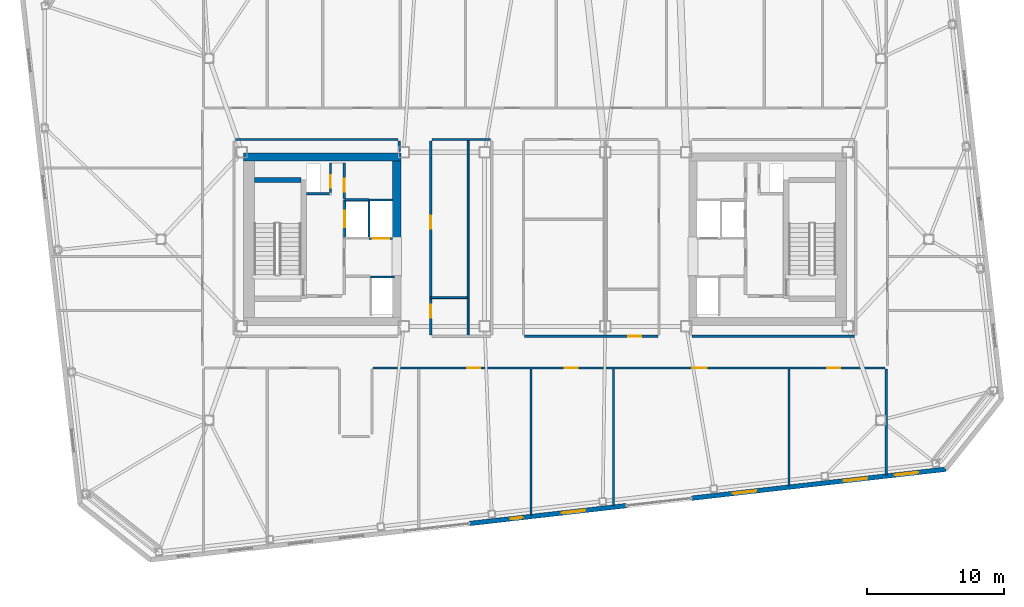
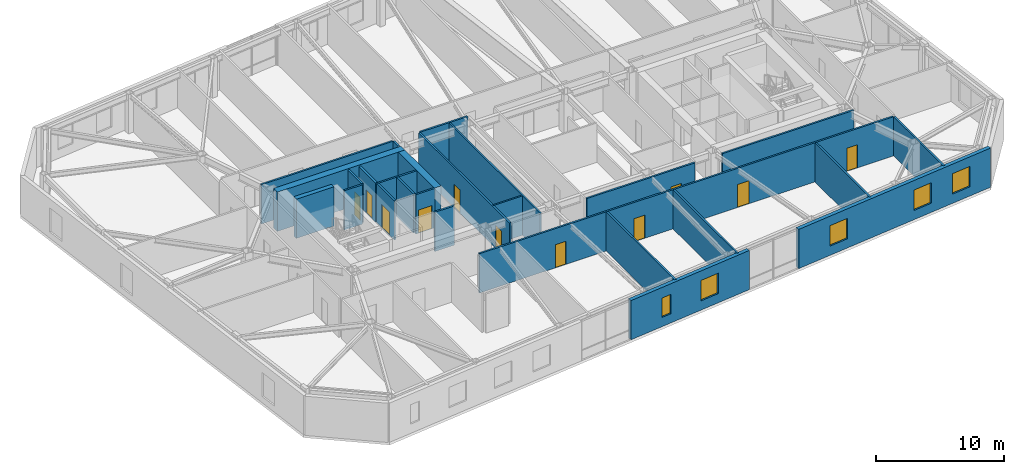
# One storey, part 13 of 19: 27 walls, 11 doors, 5 windows, 16 openings.
"""IFC4 building model written with IfcOpenShell, lengths in metres."""

from ifc_helpers import new_model, si_unit, direction, frame, frame_2d, origin, place, context, subcontext, project, spatial, rectangle, extrude, material, layer, layer_set, type_object, element, fill, save


model = new_model("IFC4")

# Units and contexts
model_context = context("Model", 3, precision=1e-05, world=origin(), true_north=direction((0.0, 1.0)))
body_context = subcontext(model_context, "Body", "Model", "MODEL_VIEW")
ifc_project = project(units=[si_unit("LENGTHUNIT", "METRE"), si_unit("AREAUNIT", "SQUARE_METRE"), si_unit("VOLUMEUNIT", "CUBIC_METRE"), si_unit("PLANEANGLEUNIT", "RADIAN"), si_unit("MASSUNIT", "GRAM", prefix="KILO")], contexts=[model_context])

# Site, building, storey
site_placement = place(None, origin())
site = spatial("IfcSite", under=ifc_project, at=site_placement, CompositionType="ELEMENT")
building_placement = place(site_placement, origin())
building = spatial("IfcBuilding", under=site, at=building_placement, Name="Tavrogorsk Clinical Tower", CompositionType="ELEMENT")
storey_placement = place(building_placement, frame((0.0, 0.0, 243.0)))
storey = spatial("IfcBuildingStorey", under=building, at=storey_placement, Name="L56", CompositionType="ELEMENT", Elevation=243.0)

# Wall, opening, door
ifc_material_1 = material(Name="Concrete B60", Category="concrete")
ifc_layer_1 = layer(ifc_material_1, 0.199951171875)
ifc_layer_set_1 = layer_set([ifc_layer_1], Name="Concrete B60")
wall_type_1 = type_object("IfcWallType", Name="CoreFireWall_200", PredefinedType="SOLIDWALL", material=ifc_layer_set_1)
wall_1_placement = place(storey_placement, frame((-14.639892578125, 2.9599609375, 0.0), z_axis=(0.0, 0.0, 1.0), x_axis=(0.0, 1.0, 0.0)))
wall_1 = element("IfcWall", 1, at=wall_1_placement, inside=storey, type_object=wall_type_1, Name="L56 Core West North Core Room East Wall", PredefinedType="SOLIDWALL", context=body_context, shape_type="SweptSolid", body=[
    extrude(rectangle(XDim=2.60009765625, YDim=0.199951171875, at=frame_2d((1.300048828125, 0.0))), origin(), (0.0, 0.0, 1.0), 3.739990234375),
])
opening_1_placement = place(wall_1_placement, frame((0.52001953125, 0.0, 0.0)))
opening_1 = element("IfcOpeningElement", 2, at=opening_1_placement, cuts=wall_1, Name="Opening ID-02", PredefinedType="OPENING", context=body_context, shape_type="SweptSolid", body=[
    extrude(rectangle(XDim=0.949951171875, YDim=2.199951171875, at=frame_2d((0.47509765625, 1.10009765625))), frame((0.0, 0.10986328125, 0.0), z_axis=(0.0, -1.0, 0.0), x_axis=(1.0, 0.0, 0.0)), (0.0, 0.0, 1.0), 0.219970703125),
])
ifc_material_2 = material(Name="Laminated timber leaf on aluminium frame", Category="wood")
door_type_1 = type_object("IfcDoorType", Name="InteriorDoor_ID02_950", OperationType="NOTDEFINED", PredefinedType="DOOR", material=ifc_material_2)
door_1_placement = place(opening_1_placement, origin())
door_1 = element("IfcDoor", 3, at=door_1_placement, inside=storey, type_object=door_type_1, Name="L56 Core West Core Telemetry Room Door", OperationType="SINGLE_SWING_LEFT", OverallHeight=2.199951171875, OverallWidth=0.949951171875, PredefinedType="DOOR", context=body_context, shape_type="SweptSolid", body=[
    extrude(rectangle(XDim=0.949951171875, YDim=2.199951171875, at=frame_2d((0.47509765625, 1.10009765625))), frame((0.0, 0.02490234375, 0.0), z_axis=(0.0, -1.0, 0.0), x_axis=(1.0, 0.0, 0.0)), (0.0, 0.0, 1.0), 0.050048828125),
])
fill(opening_1, door_1)

# Walls
ifc_material_3 = material(Name="Lightweight concrete blockwork B15", Category="masonry")
ifc_layer_2 = layer(ifc_material_3, 0.139892578125)
ifc_layer_set_2 = layer_set([ifc_layer_2], Name="Lightweight concrete blockwork B15")
wall_type_2 = type_object("IfcWallType", Name="PartitionWall_140", PredefinedType="PARTITIONING", material=ifc_layer_set_2)
wall_2_placement = place(storey_placement, frame((-5.60009765625, -7.06494140625, 0.0), z_axis=(0.0, 0.0, 1.0), x_axis=(0.0, 1.0, 0.0)))
element("IfcWall", 4, at=wall_2_placement, inside=storey, type_object=wall_type_2, Name="L56 Central Spine Partition 1", PredefinedType="PARTITIONING", context=body_context, shape_type="SweptSolid", body=[
    extrude(rectangle(XDim=14.329833984375, YDim=0.139892578125, at=frame_2d((7.1650390625, 0.0))), origin(), (0.0, 0.0, 1.0), 3.739990234375),
])
wall_3_placement = place(storey_placement, frame((-8.31494140625, -4.25, 0.0), z_axis=(0.0, 0.0, 1.0), x_axis=(1.0, 0.0, 0.0)))
element("IfcWall", 5, at=wall_3_placement, inside=storey, type_object=wall_type_2, Name="L56 Central Spine Partition 4", PredefinedType="PARTITIONING", context=body_context, shape_type="SweptSolid", body=[
    extrude(rectangle(XDim=2.639892578125, YDim=0.139892578125, at=frame_2d((1.31982421875, 0.0))), origin(), (0.0, 0.0, 1.0), 3.739990234375),
])

# Wall, openings, doors
ifc_material_4 = material(Name="Lightweight concrete blockwork B15", Category="masonry")
ifc_layer_3 = layer(ifc_material_4, 0.159912109375)
ifc_layer_set_3 = layer_set([ifc_layer_3], Name="Lightweight concrete blockwork B15")
wall_type_3 = type_object("IfcWallType", Name="PartitionWall_160", PredefinedType="PARTITIONING", material=ifc_layer_set_3)
wall_4_placement = place(storey_placement, frame((24.81494140625, -9.3798828125, 0.0), z_axis=(0.0, 0.0, 1.0), x_axis=(-1.0, 0.0, 0.0)))
wall_4 = element("IfcWall", 6, at=wall_4_placement, inside=storey, type_object=wall_type_3, Name="L56 Corridor Partition 04", PredefinedType="PARTITIONING", context=body_context, shape_type="SweptSolid", body=[
    extrude(rectangle(XDim=37.349853515625, YDim=0.159912109375, at=frame_2d((18.6748046875, 0.0))), origin(), (0.0, 0.0, 1.0), 3.739990234375),
])
opening_2_placement = place(wall_4_placement, frame((29.534912109375, 0.0, 0.0)))
opening_2 = element("IfcOpeningElement", 7, at=opening_2_placement, cuts=wall_4, Name="Opening ID-02", PredefinedType="OPENING", context=body_context, shape_type="SweptSolid", body=[
    extrude(rectangle(XDim=0.949951171875, YDim=2.199951171875, at=frame_2d((0.47509765625, 1.10009765625))), frame((0.0, 0.08984375, 0.0), z_axis=(0.0, -1.0, 0.0), x_axis=(1.0, 0.0, 0.0)), (0.0, 0.0, 1.0), 0.179931640625),
])
opening_3_placement = place(wall_4_placement, frame((22.43505859375, 0.0, 0.0)))
opening_3 = element("IfcOpeningElement", 8, at=opening_3_placement, cuts=wall_4, Name="Opening ID-02", PredefinedType="OPENING", context=body_context, shape_type="SweptSolid", body=[
    extrude(rectangle(XDim=0.949951171875, YDim=2.199951171875, at=frame_2d((0.47509765625, 1.10009765625))), frame((0.0, 0.08984375, 0.0), z_axis=(0.0, -1.0, 0.0), x_axis=(1.0, 0.0, 0.0)), (0.0, 0.0, 1.0), 0.179931640625),
])
opening_4_placement = place(wall_4_placement, frame((13.02490234375, 0.0, 0.0)))
opening_4 = element("IfcOpeningElement", 9, at=opening_4_placement, cuts=wall_4, Name="Opening ID-04", PredefinedType="OPENING", context=body_context, shape_type="SweptSolid", body=[
    extrude(rectangle(XDim=1.050048828125, YDim=2.199951171875, at=frame_2d((0.52490234375, 1.10009765625))), frame((0.0, 0.08984375, 0.0), z_axis=(0.0, -1.0, 0.0), x_axis=(1.0, 0.0, 0.0)), (0.0, 0.0, 1.0), 0.179931640625),
])
opening_5_placement = place(wall_4_placement, frame((3.26904296875, 0.0, 0.0)))
opening_5 = element("IfcOpeningElement", 10, at=opening_5_placement, cuts=wall_4, Name="Opening ID-02", PredefinedType="OPENING", context=body_context, shape_type="SweptSolid", body=[
    extrude(rectangle(XDim=0.949951171875, YDim=2.199951171875, at=frame_2d((0.47509765625, 1.10009765625))), frame((0.0, 0.08984375, 0.0), z_axis=(0.0, -1.0, 0.0), x_axis=(1.0, 0.0, 0.0)), (0.0, 0.0, 1.0), 0.179931640625),
])
ifc_material_5 = material(Name="Antibacterial HPL consultation door on aluminium frame", Category="aluminium")
door_type_2 = type_object("IfcDoorType", Name="ConsultDoor_ID04_1050", OperationType="NOTDEFINED", PredefinedType="DOOR", material=ifc_material_5)
door_2_placement = place(opening_4_placement, origin())
door_2 = element("IfcDoor", 11, at=door_2_placement, inside=storey, type_object=door_type_2, Name="L56 South Cardiology Diagnostics Room 04 Door", OperationType="SINGLE_SWING_RIGHT", OverallHeight=2.199951171875, OverallWidth=1.050048828125, PredefinedType="DOOR", context=body_context, shape_type="SweptSolid", body=[
    extrude(rectangle(XDim=1.050048828125, YDim=2.199951171875, at=frame_2d((0.52490234375, 1.10009765625))), frame((0.0, 0.02490234375, 0.0), z_axis=(0.0, -1.0, 0.0), x_axis=(1.0, 0.0, 0.0)), (0.0, 0.0, 1.0), 0.050048828125),
])
fill(opening_4, door_2)
door_3_placement = place(opening_2_placement, origin())
door_3 = element("IfcDoor", 12, at=door_3_placement, inside=storey, type_object=door_type_1, Name="L56 South Outpatient Procedure Suite 03A Door", OperationType="SINGLE_SWING_RIGHT", OverallHeight=2.199951171875, OverallWidth=0.949951171875, PredefinedType="DOOR", context=body_context, shape_type="SweptSolid", body=[
    extrude(rectangle(XDim=0.949951171875, YDim=2.199951171875, at=frame_2d((0.47509765625, 1.10009765625))), frame((0.0, 0.02490234375, 0.0), z_axis=(0.0, -1.0, 0.0), x_axis=(1.0, 0.0, 0.0)), (0.0, 0.0, 1.0), 0.050048828125),
])
fill(opening_2, door_3)
door_4_placement = place(opening_3_placement, origin())
door_4 = element("IfcDoor", 13, at=door_4_placement, inside=storey, type_object=door_type_1, Name="L56 South Clinical Case Seminar Room 03B Door", OperationType="SINGLE_SWING_LEFT", OverallHeight=2.199951171875, OverallWidth=0.949951171875, PredefinedType="DOOR", context=body_context, shape_type="SweptSolid", body=[
    extrude(rectangle(XDim=0.949951171875, YDim=2.199951171875, at=frame_2d((0.47509765625, 1.10009765625))), frame((0.0, 0.02490234375, 0.0), z_axis=(0.0, -1.0, 0.0), x_axis=(1.0, 0.0, 0.0)), (0.0, 0.0, 1.0), 0.050048828125),
])
fill(opening_3, door_4)
door_5_placement = place(opening_5_placement, origin())
door_5 = element("IfcDoor", 14, at=door_5_placement, inside=storey, type_object=door_type_1, Name="L56 South Attending Physician Office 05 Door", OperationType="SINGLE_SWING_LEFT", OverallHeight=2.199951171875, OverallWidth=0.949951171875, PredefinedType="DOOR", context=body_context, shape_type="SweptSolid", body=[
    extrude(rectangle(XDim=0.949951171875, YDim=2.199951171875, at=frame_2d((0.47509765625, 1.10009765625))), frame((0.0, 0.02490234375, 0.0), z_axis=(0.0, -1.0, 0.0), x_axis=(1.0, 0.0, 0.0)), (0.0, 0.0, 1.0), 0.050048828125),
])
fill(opening_5, door_5)

# Wall
wall_5_placement = place(storey_placement, frame((10.715087890625, -7.070068359375, 0.0), z_axis=(0.0, 0.0, 1.0), x_axis=(1.0, 0.0, 0.0)))
element("IfcWall", 15, at=wall_5_placement, inside=storey, type_object=wall_type_3, Name="L56 Corridor Partition 12", PredefinedType="PARTITIONING", context=body_context, shape_type="SweptSolid", body=[
    extrude(rectangle(XDim=11.869873046875, YDim=0.159912109375, at=frame_2d((5.93505859375, 0.0))), origin(), (0.0, 0.0, 1.0), 3.739990234375),
])

# Wall, opening, door
wall_6_placement = place(storey_placement, frame((-1.485107421875, -7.070068359375, 0.0), z_axis=(0.0, 0.0, 1.0), x_axis=(1.0, 0.0, 0.0)))
wall_6 = element("IfcWall", 16, at=wall_6_placement, inside=storey, type_object=wall_type_3, Name="L56 Corridor Partition 16", PredefinedType="PARTITIONING", context=body_context, shape_type="SweptSolid", body=[
    extrude(rectangle(XDim=9.72021484375, YDim=0.159912109375, at=frame_2d((4.860107421875, 0.0))), origin(), (0.0, 0.0, 1.0), 3.739990234375),
])
opening_6_placement = place(wall_6_placement, frame((7.560791015625, 0.0, 0.0)))
opening_6 = element("IfcOpeningElement", 17, at=opening_6_placement, cuts=wall_6, Name="Opening ID-02", PredefinedType="OPENING", context=body_context, shape_type="SweptSolid", body=[
    extrude(rectangle(XDim=0.949951171875, YDim=2.199951171875, at=frame_2d((0.47509765625, 1.10009765625))), frame((0.0, 0.08984375, 0.0), z_axis=(0.0, -1.0, 0.0), x_axis=(1.0, 0.0, 0.0)), (0.0, 0.0, 1.0), 0.179931640625),
])
door_6_placement = place(opening_6_placement, origin())
door_6 = element("IfcDoor", 18, at=door_6_placement, inside=storey, type_object=door_type_1, Name="L56 Staff & Visitor Accessible WC Door", OperationType="SINGLE_SWING_RIGHT", OverallHeight=2.199951171875, OverallWidth=0.949951171875, PredefinedType="DOOR", context=body_context, shape_type="SweptSolid", body=[
    extrude(rectangle(XDim=0.949951171875, YDim=2.199951171875, at=frame_2d((0.47509765625, 1.10009765625))), frame((0.0, 0.02490234375, 0.0), z_axis=(0.0, -1.0, 0.0), x_axis=(1.0, 0.0, 0.0)), (0.0, 0.0, 1.0), 0.050048828125),
])
fill(opening_6, door_6)

# Wall
wall_7_placement = place(storey_placement, frame((-3.965087890625, 7.27001953125, 0.0), z_axis=(0.0, 0.0, 1.0), x_axis=(-1.0, 0.0, 0.0)))
element("IfcWall", 19, at=wall_7_placement, inside=storey, type_object=wall_type_3, Name="L56 Corridor Partition 19", PredefinedType="PARTITIONING", context=body_context, shape_type="SweptSolid", body=[
    extrude(rectangle(XDim=4.27001953125, YDim=0.159912109375, at=frame_2d((2.135009765625, 0.0))), origin(), (0.0, 0.0, 1.0), 3.739990234375),
])

# Wall, openings, doors
wall_8_placement = place(storey_placement, frame((-8.320068359375, 7.18505859375, 0.0), z_axis=(0.0, 0.0, 1.0), x_axis=(0.0, -1.0, 0.0)))
wall_8 = element("IfcWall", 20, at=wall_8_placement, inside=storey, type_object=wall_type_3, Name="L56 Corridor Partition 20", PredefinedType="PARTITIONING", context=body_context, shape_type="SweptSolid", body=[
    extrude(rectangle(XDim=14.170166015625, YDim=0.159912109375, at=frame_2d((7.0849609375, 0.0))), origin(), (0.0, 0.0, 1.0), 3.739990234375),
])
opening_7_placement = place(wall_8_placement, frame((11.9609375, 0.0, 0.0)))
opening_7 = element("IfcOpeningElement", 21, at=opening_7_placement, cuts=wall_8, Name="Opening ID-02", PredefinedType="OPENING", context=body_context, shape_type="SweptSolid", body=[
    extrude(rectangle(XDim=0.949951171875, YDim=2.199951171875, at=frame_2d((0.47509765625, 1.10009765625))), frame((0.0, 0.08984375, 0.0), z_axis=(0.0, -1.0, 0.0), x_axis=(1.0, 0.0, 0.0)), (0.0, 0.0, 1.0), 0.179931640625),
])
opening_8_placement = place(wall_8_placement, frame((5.47900390625, 0.0, 0.0)))
opening_8 = element("IfcOpeningElement", 22, at=opening_8_placement, cuts=wall_8, Name="Opening ID-02", PredefinedType="OPENING", context=body_context, shape_type="SweptSolid", body=[
    extrude(rectangle(XDim=0.949951171875, YDim=2.199951171875, at=frame_2d((0.47509765625, 1.10009765625))), frame((0.0, 0.08984375, 0.0), z_axis=(0.0, -1.0, 0.0), x_axis=(1.0, 0.0, 0.0)), (0.0, 0.0, 1.0), 0.179931640625),
])
door_7_placement = place(opening_7_placement, origin())
door_7 = element("IfcDoor", 23, at=door_7_placement, inside=storey, type_object=door_type_1, Name="L56 Accessible Patient Lavatory Door", OperationType="SINGLE_SWING_RIGHT", OverallHeight=2.199951171875, OverallWidth=0.949951171875, PredefinedType="DOOR", context=body_context, shape_type="SweptSolid", body=[
    extrude(rectangle(XDim=0.949951171875, YDim=2.199951171875, at=frame_2d((0.47509765625, 1.10009765625))), frame((0.0, 0.02490234375, 0.0), z_axis=(0.0, -1.0, 0.0), x_axis=(1.0, 0.0, 0.0)), (0.0, 0.0, 1.0), 0.050048828125),
])
fill(opening_7, door_7)
door_8_placement = place(opening_8_placement, origin())
door_8 = element("IfcDoor", 24, at=door_8_placement, inside=storey, type_object=door_type_1, Name="L56 Ward Nourishment Pantry Door", OperationType="SINGLE_SWING_LEFT", OverallHeight=2.199951171875, OverallWidth=0.949951171875, PredefinedType="DOOR", context=body_context, shape_type="SweptSolid", body=[
    extrude(rectangle(XDim=0.949951171875, YDim=2.199951171875, at=frame_2d((0.47509765625, 1.10009765625))), frame((0.0, 0.02490234375, 0.0), z_axis=(0.0, -1.0, 0.0), x_axis=(1.0, 0.0, 0.0)), (0.0, 0.0, 1.0), 0.050048828125),
])
fill(opening_8, door_8)

# Walls
wall_9_placement = place(storey_placement, frame((-10.6298828125, 6.419921875, 0.0), z_axis=(0.0, 0.0, 1.0), x_axis=(0.0, 1.0, 0.0)))
element("IfcWall", 25, at=wall_9_placement, inside=storey, type_object=wall_type_3, Name="L56 Corridor Partition 23", PredefinedType="PARTITIONING", context=body_context, shape_type="SweptSolid", body=[
    extrude(rectangle(XDim=0.76513671875, YDim=0.159912109375, at=frame_2d((0.382568359375, 0.0))), origin(), (0.0, 0.0, 1.0), 3.739990234375),
])
wall_10_placement = place(storey_placement, frame((-10.715087890625, 7.27001953125, 0.0), z_axis=(0.0, 0.0, 1.0), x_axis=(-1.0, 0.0, 0.0)))
element("IfcWall", 26, at=wall_10_placement, inside=storey, type_object=wall_type_3, Name="L56 Corridor Partition 24", PredefinedType="PARTITIONING", context=body_context, shape_type="SweptSolid", body=[
    extrude(rectangle(XDim=11.869873046875, YDim=0.159912109375, at=frame_2d((5.93505859375, 0.0))), origin(), (0.0, 0.0, 1.0), 3.739990234375),
])
wall_11_placement = place(storey_placement, frame((24.89990234375, -17.199462890625, 0.0), z_axis=(0.0, 0.0, 1.0), x_axis=(0.0, 1.0, 0.0)))
element("IfcWall", 27, at=wall_11_placement, inside=storey, type_object=wall_type_3, Name="L56 SE Wing Closure Partition", PredefinedType="PARTITIONING", context=body_context, shape_type="SweptSolid", body=[
    extrude(rectangle(XDim=7.734375, YDim=0.159912109375, at=frame_2d((3.8671875, 0.0))), origin(), (0.0, 0.0, 1.0), 3.739990234375),
])
wall_12_placement = place(storey_placement, frame((5.0, -19.466796875, 0.0), z_axis=(0.0, 0.0, 1.0), x_axis=(0.0, 1.0, 0.0)))
element("IfcWall", 28, at=wall_12_placement, inside=storey, type_object=wall_type_3, Name="L56 South Room Partition 3", PredefinedType="PARTITIONING", context=body_context, shape_type="SweptSolid", body=[
    extrude(rectangle(XDim=10.001708984375, YDim=0.159912109375, at=frame_2d((5.0009765625, 0.0))), origin(), (0.0, 0.0, 1.0), 3.739990234375),
])
wall_13_placement = place(storey_placement, frame((17.800048828125, -18.00830078125, 0.0), z_axis=(0.0, 0.0, 1.0), x_axis=(0.0, 1.0, 0.0)))
element("IfcWall", 29, at=wall_13_placement, inside=storey, type_object=wall_type_3, Name="L56 South Room Partition 4", PredefinedType="PARTITIONING", context=body_context, shape_type="SweptSolid", body=[
    extrude(rectangle(XDim=8.543212890625, YDim=0.159912109375, at=frame_2d((4.271484375, 0.0))), origin(), (0.0, 0.0, 1.0), 3.739990234375),
])
wall_14_placement = place(storey_placement, frame((-1.02001953125, -20.152587890625, 0.0), z_axis=(0.0, 0.0, 1.0), x_axis=(0.0, 1.0, 0.0)))
element("IfcWall", 30, at=wall_14_placement, inside=storey, type_object=wall_type_3, Name="L56 South Sub-Partition 3", PredefinedType="PARTITIONING", context=body_context, shape_type="SweptSolid", body=[
    extrude(rectangle(XDim=10.6875, YDim=0.159912109375, at=frame_2d((5.34375, 0.0))), origin(), (0.0, 0.0, 1.0), 3.739990234375),
])

# Wall, openings, windows
ifc_material_6 = material(Name="Precast concrete B45 with limestone cladding", Category="masonry")
ifc_layer_4 = layer(ifc_material_6, 0.340087890625)
ifc_layer_set_4 = layer_set([ifc_layer_4], Name="Precast concrete B45 with limestone cladding")
wall_type_4 = type_object("IfcWallType", Name="PrecastLimestoneWall_340", PredefinedType="STANDARD", material=ifc_layer_set_4)
wall_15_placement = place(storey_placement, frame((-5.48193359375, -20.7314453125, 0.0), z_axis=(0.0, 0.0, 1.0), x_axis=(0.993571968199, 0.113202226169, 0.0)))
wall_15 = element("IfcWall", 31, at=wall_15_placement, inside=storey, type_object=wall_type_4, Name="L56 S Limestone Facade Wall 2", PredefinedType="STANDARD", context=body_context, shape_type="SweptSolid", body=[
    extrude(rectangle(XDim=11.497314453125, YDim=0.340087890625, at=frame_2d((5.74853515625, 0.0))), origin(), (0.0, 0.0, 1.0), 3.739990234375),
])
opening_9_placement = place(wall_15_placement, frame((3.0244140625, 0.0, 0.8798828125)))
opening_9 = element("IfcOpeningElement", 32, at=opening_9_placement, cuts=wall_15, Name="Opening WN-06", PredefinedType="OPENING", context=body_context, shape_type="SweptSolid", body=[
    extrude(rectangle(XDim=0.85009765625, YDim=1.85009765625, at=frame_2d((0.425048828125, 0.925048828125))), frame((0.0, 0.179931640625, 0.0), z_axis=(0.0, -1.0, 0.0), x_axis=(1.0, 0.0, 0.0)), (0.0, 0.0, 1.0), 0.360107421875),
])
opening_10_placement = place(wall_15_placement, frame((6.772705078125, 0.0, 0.8798828125)))
opening_10 = element("IfcOpeningElement", 33, at=opening_10_placement, cuts=wall_15, Name="Opening WN-15", PredefinedType="OPENING", context=body_context, shape_type="SweptSolid", body=[
    extrude(rectangle(XDim=1.699951171875, YDim=1.949951171875, at=frame_2d((0.85009765625, 0.97509765625))), frame((0.0, 0.179931640625, 0.0), z_axis=(0.0, -1.0, 0.0), x_axis=(1.0, 0.0, 0.0)), (0.0, 0.0, 1.0), 0.360107421875),
])
ifc_material_7 = material(Name="Thermally broken aluminium frame and triple IGU", Category="aluminium")
window_type_1 = type_object("IfcWindowType", Name="MullionSubWin_850x1850", PartitioningType="SINGLE_PANEL", PredefinedType="WINDOW", material=ifc_material_7)
window_1_placement = place(opening_9_placement, origin())
window_1 = element("IfcWindow", 34, at=window_1_placement, inside=storey, type_object=window_type_1, Name="L56 S Mullion Split Window 05A", OverallHeight=1.85009765625, OverallWidth=0.85009765625, PartitioningType="SINGLE_PANEL", PredefinedType="WINDOW", context=body_context, shape_type="SweptSolid", body=[
    extrude(rectangle(XDim=0.85009765625, YDim=1.85009765625, at=frame_2d((0.425048828125, 0.925048828125))), frame((0.0, 0.030029296875, 0.0), z_axis=(0.0, -1.0, 0.0), x_axis=(1.0, 0.0, 0.0)), (0.0, 0.0, 1.0), 0.06005859375),
])
fill(opening_9, window_1)
ifc_material_8 = material(Name="Thermally broken aluminium frame and triple IGU", Category="aluminium")
window_type_2 = type_object("IfcWindowType", Name="OfficeChicagoWin_1700x1950", PartitioningType="SINGLE_PANEL", PredefinedType="WINDOW", material=ifc_material_8)
window_2_placement = place(opening_10_placement, origin())
window_2 = element("IfcWindow", 35, at=window_2_placement, inside=storey, type_object=window_type_2, Name="L56 S Chicago Window 06", OverallHeight=1.949951171875, OverallWidth=1.699951171875, PartitioningType="SINGLE_PANEL", PredefinedType="WINDOW", context=body_context, shape_type="SweptSolid", body=[
    extrude(rectangle(XDim=1.699951171875, YDim=1.949951171875, at=frame_2d((0.85009765625, 0.97509765625))), frame((0.0, 0.030029296875, 0.0), z_axis=(0.0, -1.0, 0.0), x_axis=(1.0, 0.0, 0.0)), (0.0, 0.0, 1.0), 0.06005859375),
])
fill(opening_10, window_2)

wall_16_placement = place(storey_placement, frame((10.71044921875, -18.886474609375, 0.0), z_axis=(0.0, 0.0, 1.0), x_axis=(0.993572271362, 0.113199565282, 0.0)))
wall_16 = element("IfcWall", 36, at=wall_16_placement, inside=storey, type_object=wall_type_4, Name="L56 S Limestone Facade Wall 3", PredefinedType="STANDARD", context=body_context, shape_type="SweptSolid", body=[
    extrude(rectangle(XDim=18.6513671875, YDim=0.340087890625, at=frame_2d((9.32568359375, 0.0))), origin(), (0.0, 0.0, 1.0), 3.739990234375),
])
opening_11_placement = place(wall_16_placement, frame((3.0244140625, 0.0, 0.8798828125)))
opening_11 = element("IfcOpeningElement", 37, at=opening_11_placement, cuts=wall_16, Name="Opening WN-15", PredefinedType="OPENING", context=body_context, shape_type="SweptSolid", body=[
    extrude(rectangle(XDim=1.699951171875, YDim=1.949951171875, at=frame_2d((0.85009765625, 0.97509765625))), frame((0.0, 0.179931640625, 0.0), z_axis=(0.0, -1.0, 0.0), x_axis=(1.0, 0.0, 0.0)), (0.0, 0.0, 1.0), 0.360107421875),
])
opening_12_placement = place(wall_16_placement, frame((11.1728515625, 0.0, 0.8798828125)))
opening_12 = element("IfcOpeningElement", 38, at=opening_12_placement, cuts=wall_16, Name="Opening WN-15", PredefinedType="OPENING", context=body_context, shape_type="SweptSolid", body=[
    extrude(rectangle(XDim=1.699951171875, YDim=1.949951171875, at=frame_2d((0.85009765625, 0.97509765625))), frame((0.0, 0.179931640625, 0.0), z_axis=(0.0, -1.0, 0.0), x_axis=(1.0, 0.0, 0.0)), (0.0, 0.0, 1.0), 0.360107421875),
])
opening_13_placement = place(wall_16_placement, frame((14.921142578125, 0.0, 0.8798828125)))
opening_13 = element("IfcOpeningElement", 39, at=opening_13_placement, cuts=wall_16, Name="Opening WN-15", PredefinedType="OPENING", context=body_context, shape_type="SweptSolid", body=[
    extrude(rectangle(XDim=1.699951171875, YDim=1.949951171875, at=frame_2d((0.85009765625, 0.97509765625))), frame((0.0, 0.179931640625, 0.0), z_axis=(0.0, -1.0, 0.0), x_axis=(1.0, 0.0, 0.0)), (0.0, 0.0, 1.0), 0.360107421875),
])
window_3_placement = place(opening_11_placement, origin())
window_3 = element("IfcWindow", 40, at=window_3_placement, inside=storey, type_object=window_type_2, Name="L56 S Chicago Window 07", OverallHeight=1.949951171875, OverallWidth=1.699951171875, PartitioningType="SINGLE_PANEL", PredefinedType="WINDOW", context=body_context, shape_type="SweptSolid", body=[
    extrude(rectangle(XDim=1.699951171875, YDim=1.949951171875, at=frame_2d((0.85009765625, 0.97509765625))), frame((0.0, 0.030029296875, 0.0), z_axis=(0.0, -1.0, 0.0), x_axis=(1.0, 0.0, 0.0)), (0.0, 0.0, 1.0), 0.06005859375),
])
fill(opening_11, window_3)
window_4_placement = place(opening_12_placement, origin())
window_4 = element("IfcWindow", 41, at=window_4_placement, inside=storey, type_object=window_type_2, Name="L56 S Chicago Window 09", OverallHeight=1.949951171875, OverallWidth=1.699951171875, PartitioningType="SINGLE_PANEL", PredefinedType="WINDOW", context=body_context, shape_type="SweptSolid", body=[
    extrude(rectangle(XDim=1.699951171875, YDim=1.949951171875, at=frame_2d((0.85009765625, 0.97509765625))), frame((0.0, 0.030029296875, 0.0), z_axis=(0.0, -1.0, 0.0), x_axis=(1.0, 0.0, 0.0)), (0.0, 0.0, 1.0), 0.06005859375),
])
fill(opening_12, window_4)
window_5_placement = place(opening_13_placement, origin())
window_5 = element("IfcWindow", 42, at=window_5_placement, inside=storey, type_object=window_type_2, Name="L56 S Chicago Window 10", OverallHeight=1.949951171875, OverallWidth=1.699951171875, PartitioningType="SINGLE_PANEL", PredefinedType="WINDOW", context=body_context, shape_type="SweptSolid", body=[
    extrude(rectangle(XDim=1.699951171875, YDim=1.949951171875, at=frame_2d((0.85009765625, 0.97509765625))), frame((0.0, 0.030029296875, 0.0), z_axis=(0.0, -1.0, 0.0), x_axis=(1.0, 0.0, 0.0)), (0.0, 0.0, 1.0), 0.06005859375),
])
fill(opening_13, window_5)

# Wall, opening, door
ifc_material_9 = material(Name="Lightweight concrete blockwork B25", Category="masonry")
ifc_layer_5 = layer(ifc_material_9, 0.159912109375)
ifc_layer_set_5 = layer_set([ifc_layer_5], Name="Lightweight concrete blockwork B25")
wall_type_5 = type_object("IfcWallType", Name="ShaftWall_160", PredefinedType="PARTITIONING", material=ifc_layer_set_5)
wall_17_placement = place(storey_placement, frame((-14.60009765625, 0.1201171875, 0.0), z_axis=(0.0, 0.0, 1.0), x_axis=(0.0, 1.0, 0.0)))
wall_17 = element("IfcWall", 43, at=wall_17_placement, inside=storey, type_object=wall_type_5, Name="L56 FFL-W Firefighting Lift Front Wall", PredefinedType="PARTITIONING", context=body_context, shape_type="SweptSolid", body=[
    extrude(rectangle(XDim=2.739990234375, YDim=0.159912109375, at=frame_2d((1.3701171875, 0.0))), origin(), (0.0, 0.0, 1.0), 3.739990234375),
])
opening_14_placement = place(wall_17_placement, frame((0.77001953125, 0.0, 0.0)))
opening_14 = element("IfcOpeningElement", 44, at=opening_14_placement, cuts=wall_17, Name="Opening LD", PredefinedType="OPENING", context=body_context, shape_type="SweptSolid", body=[
    extrude(rectangle(XDim=1.199951171875, YDim=2.199951171875, at=frame_2d((0.60009765625, 1.10009765625))), frame((0.0, 0.08984375, 0.0), z_axis=(0.0, -1.0, 0.0), x_axis=(1.0, 0.0, 0.0)), (0.0, 0.0, 1.0), 0.179931640625),
])
ifc_material_10 = material(Name="Brushed stainless steel AISI 304 sliding doors", Category="steel")
door_type_3 = type_object("IfcDoorType", Name="LiftLandingDoor_LD_1200", OperationType="SLIDING_TO_LEFT", PredefinedType="DOOR", material=ifc_material_10)
door_9_placement = place(opening_14_placement, origin())
door_9 = element("IfcDoor", 45, at=door_9_placement, inside=storey, type_object=door_type_3, Name="L56 FFL-W Sliding Lift Landing Door", OperationType="SLIDING_TO_LEFT", OverallHeight=2.199951171875, OverallWidth=1.199951171875, PredefinedType="DOOR", context=body_context, shape_type="SweptSolid", body=[
    extrude(rectangle(XDim=1.199951171875, YDim=2.199951171875, at=frame_2d((0.60009765625, 1.10009765625))), frame((0.0, 0.02490234375, 0.0), z_axis=(0.0, -1.0, 0.0), x_axis=(1.0, 0.0, 0.0)), (0.0, 0.0, 1.0), 0.050048828125),
])
fill(opening_14, door_9)

# Walls
wall_18_placement = place(storey_placement, frame((-14.60009765625, 2.8798828125, 0.0), z_axis=(0.0, 0.0, 1.0), x_axis=(1.0, 0.0, 0.0)))
element("IfcWall", 46, at=wall_18_placement, inside=storey, type_object=wall_type_5, Name="L56 FFL-W Shaft North Wall", PredefinedType="PARTITIONING", context=body_context, shape_type="SweptSolid", body=[
    extrude(rectangle(XDim=1.760009765625, YDim=0.159912109375, at=frame_2d((0.8798828125, 0.0))), origin(), (0.0, 0.0, 1.0), 3.739990234375),
])
wall_19_placement = place(storey_placement, frame((-12.840087890625, 0.179931640625, 0.0), z_axis=(0.0, 0.0, 1.0), x_axis=(0.0, 1.0, 0.0)))
element("IfcWall", 47, at=wall_19_placement, inside=storey, type_object=wall_type_5, Name="L56 FFL-W Shaft Back Wall", PredefinedType="PARTITIONING", context=body_context, shape_type="SweptSolid", body=[
    extrude(rectangle(XDim=2.6201171875, YDim=0.159912109375, at=frame_2d((1.31005859375, 0.0))), origin(), (0.0, 0.0, 1.0), 3.739990234375),
])
wall_20_placement = place(storey_placement, frame((-12.72998046875, -2.75, 0.0), z_axis=(0.0, 0.0, 1.0), x_axis=(1.0, 0.0, 0.0)))
element("IfcWall", 48, at=wall_20_placement, inside=storey, type_object=wall_type_5, Name="L56 LP-M1 Lift Shaft Portal Wall", PredefinedType="PARTITIONING", context=body_context, shape_type="SweptSolid", body=[
    extrude(rectangle(XDim=1.760009765625, YDim=0.159912109375, at=frame_2d((0.8798828125, 0.0))), origin(), (0.0, 0.0, 1.0), 3.739990234375),
])

# Wall, opening, door
wall_21_placement = place(storey_placement, frame((-12.820068359375, 0.06005859375, 0.0), z_axis=(0.0, 0.0, 1.0), x_axis=(1.0, 0.0, 0.0)))
wall_21 = element("IfcWall", 49, at=wall_21_placement, inside=storey, type_object=wall_type_5, Name="L56 LP-H1 High-Zone Lift Portal Wall", PredefinedType="PARTITIONING", context=body_context, shape_type="SweptSolid", body=[
    extrude(rectangle(XDim=1.719970703125, YDim=0.159912109375, at=frame_2d((0.85986328125, 0.0))), origin(), (0.0, 0.0, 1.0), 3.739990234375),
])
opening_15_placement = place(wall_21_placement, frame((0.260009765625, 0.0, 0.0)))
opening_15 = element("IfcOpeningElement", 50, at=opening_15_placement, cuts=wall_21, Name="Opening LD", PredefinedType="OPENING", context=body_context, shape_type="SweptSolid", body=[
    extrude(rectangle(XDim=1.199951171875, YDim=2.199951171875, at=frame_2d((0.60009765625, 1.10009765625))), frame((0.0, 0.08984375, 0.0), z_axis=(0.0, -1.0, 0.0), x_axis=(1.0, 0.0, 0.0)), (0.0, 0.0, 1.0), 0.179931640625),
])
door_10_placement = place(opening_15_placement, origin())
door_10 = element("IfcDoor", 51, at=door_10_placement, inside=storey, type_object=door_type_3, Name="L56 LP-H1 Sliding Lift Landing Door", OperationType="SLIDING_TO_LEFT", OverallHeight=2.199951171875, OverallWidth=1.199951171875, PredefinedType="DOOR", context=body_context, shape_type="SweptSolid", body=[
    extrude(rectangle(XDim=1.199951171875, YDim=2.199951171875, at=frame_2d((0.60009765625, 1.10009765625))), frame((0.0, 0.02490234375, 0.0), z_axis=(0.0, -1.0, 0.0), x_axis=(1.0, 0.0, 0.0)), (0.0, 0.0, 1.0), 0.050048828125),
])
fill(opening_15, door_10)

# Wall
wall_22_placement = place(storey_placement, frame((-12.820068359375, 2.860107421875, 0.0), z_axis=(0.0, 0.0, 1.0), x_axis=(1.0, 0.0, 0.0)))
element("IfcWall", 52, at=wall_22_placement, inside=storey, type_object=wall_type_5, Name="L56 LP-H1 High-Zone Lift Rear Wall", PredefinedType="PARTITIONING", context=body_context, shape_type="SweptSolid", body=[
    extrude(rectangle(XDim=1.719970703125, YDim=0.159912109375, at=frame_2d((0.85986328125, 0.0))), origin(), (0.0, 0.0, 1.0), 3.739990234375),
])

# Wall, opening, door
wall_23_placement = place(storey_placement, frame((-15.639892578125, 3.405029296875, 0.0), z_axis=(0.0, 0.0, 1.0), x_axis=(0.0, 1.0, 0.0)))
wall_23 = element("IfcWall", 53, at=wall_23_placement, inside=storey, type_object=wall_type_5, Name="L56 Core West Riser West Wall", PredefinedType="PARTITIONING", context=body_context, shape_type="SweptSolid", body=[
    extrude(rectangle(XDim=2.155029296875, YDim=0.159912109375, at=frame_2d((1.07763671875, 0.0))), origin(), (0.0, 0.0, 1.0), 3.739990234375),
])
opening_16_placement = place(wall_23_placement, frame((0.35009765625, 0.0, 0.0)))
opening_16 = element("IfcOpeningElement", 54, at=opening_16_placement, cuts=wall_23, Name="Opening FD-02", PredefinedType="OPENING", context=body_context, shape_type="SweptSolid", body=[
    extrude(rectangle(XDim=0.89990234375, YDim=2.199951171875, at=frame_2d((0.449951171875, 1.10009765625))), frame((0.0, 0.08984375, 0.0), z_axis=(0.0, -1.0, 0.0), x_axis=(1.0, 0.0, 0.0)), (0.0, 0.0, 1.0), 0.179931640625),
])
ifc_material_11 = material(Name="Galvanised steel fire-rated door assembly", Category="steel")
door_type_4 = type_object("IfcDoorType", Name="FireDoor_FD02_900", OperationType="NOTDEFINED", PredefinedType="DOOR", material=ifc_material_11)
door_11_placement = place(opening_16_placement, origin())
door_11 = element("IfcDoor", 55, at=door_11_placement, inside=storey, type_object=door_type_4, Name="L56 Core West Electrical Riser Access Door", OperationType="SINGLE_SWING_LEFT", OverallHeight=2.199951171875, OverallWidth=0.89990234375, PredefinedType="DOOR", context=body_context, shape_type="SweptSolid", body=[
    extrude(rectangle(XDim=0.89990234375, YDim=2.199951171875, at=frame_2d((0.449951171875, 1.10009765625))), frame((0.0, 0.02490234375, 0.0), z_axis=(0.0, -1.0, 0.0), x_axis=(1.0, 0.0, 0.0)), (0.0, 0.0, 1.0), 0.050048828125),
])
fill(opening_16, door_11)

# Walls
wall_24_placement = place(storey_placement, frame((-17.3798828125, 3.320068359375, 0.0), z_axis=(0.0, 0.0, 1.0), x_axis=(1.0, 0.0, 0.0)))
element("IfcWall", 56, at=wall_24_placement, inside=storey, type_object=wall_type_5, Name="L56 Core West Riser South Wall", PredefinedType="PARTITIONING", context=body_context, shape_type="SweptSolid", body=[
    extrude(rectangle(XDim=1.65478515625, YDim=0.159912109375, at=frame_2d((0.827392578125, 0.0))), origin(), (0.0, 0.0, 1.0), 3.739990234375),
])
ifc_material_12 = material(Name="Concrete B80", Category="concrete")
ifc_layer_6 = layer(ifc_material_12, 0.39990234375)
ifc_layer_set_6 = layer_set([ifc_layer_6], Name="Concrete B80")
wall_type_6 = type_object("IfcWallType", Name="ShearWall_400", PredefinedType="SHEAR", material=ifc_layer_set_6)
wall_25_placement = place(storey_placement, frame((-21.199951171875, 4.324951171875, 0.0), z_axis=(0.0, 0.0, 1.0), x_axis=(1.0, 0.0, 0.0)))
element("IfcWall", 57, at=wall_25_placement, inside=storey, type_object=wall_type_6, Name="L56 Core West Stair Shaft North Shear Wall", PredefinedType="SHEAR", context=body_context, shape_type="SweptSolid", body=[
    extrude(rectangle(XDim=3.39990234375, YDim=0.39990234375, at=frame_2d((1.699951171875, 0.0))), origin(), (0.0, 0.0, 1.0), 3.739990234375),
])
ifc_material_13 = material(Name="Concrete B80", Category="concrete")
ifc_layer_7 = layer(ifc_material_13, 0.60009765625)
ifc_layer_set_7 = layer_set([ifc_layer_7], Name="Concrete B80")
wall_type_7 = type_object("IfcWallType", Name="ShearWall_600", PredefinedType="SHEAR", material=ifc_layer_set_7)
wall_26_placement = place(storey_placement, frame((-22.0, 6.0, 0.0), z_axis=(0.0, 0.0, 1.0), x_axis=(1.0, 0.0, 0.0)))
element("IfcWall", 58, at=wall_26_placement, inside=storey, type_object=wall_type_7, Name="L56 Core West North Shear Wall", PredefinedType="SHEAR", context=body_context, shape_type="SweptSolid", body=[
    extrude(rectangle(XDim=11.5, YDim=0.60009765625, at=frame_2d((5.75, 0.0))), origin(), (0.0, 0.0, 1.0), 3.739990234375),
])
wall_27_placement = place(storey_placement, frame((-10.800048828125, 0.050048828125, 0.0), z_axis=(0.0, 0.0, 1.0), x_axis=(0.0, 1.0, 0.0)))
element("IfcWall", 59, at=wall_27_placement, inside=storey, type_object=wall_type_7, Name="L56 Core West Inner North Pier", PredefinedType="SHEAR", context=body_context, shape_type="SweptSolid", body=[
    extrude(rectangle(XDim=5.64990234375, YDim=0.60009765625, at=frame_2d((2.824951171875, 0.0))), origin(), (0.0, 0.0, 1.0), 3.739990234375),
])

save(model, "model.ifc")
